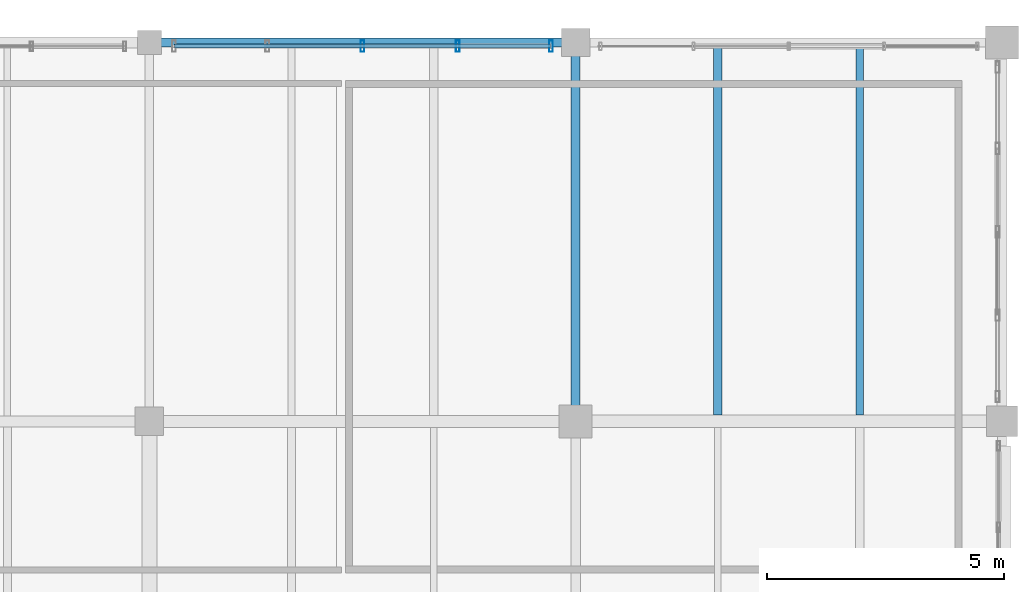
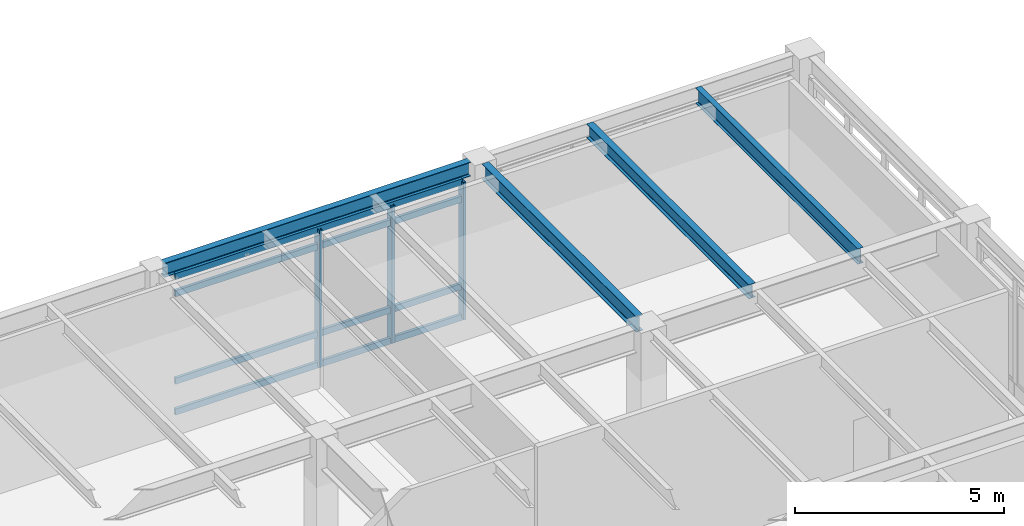
# One storey, part 96 of 200: 7 members, 4 beams, 1 element without a shape of its own.
"""IFC4 building model written with IfcOpenShell, lengths in metres."""

import ifcopenshell
import ifcopenshell.guid

model = None  # the IFC model being written
_history = None  # IfcOwnerHistory: only IFC2X3 demands one
_inside = {}  # id of a spatial element -> (the spatial element, [elements in it])
_under = {}  # id of a project, library or spatial element -> (it, [spatial elements below it])
_declared = {}  # id of a project -> (the project, [libraries it declares])
_typed = {}  # id of a type object -> (the type object, [elements of that type])
_made_of = {}  # id of a material, layer set ... -> (it, [elements and type objects made of it])


def new_model(schema):
    """Start an empty IFC model of exactly this schema.

    Asked for "IFC4X3", IfcOpenShell would pick the latest addendum, in which some entities
    have other attributes; the version numbers below select the first issue.
    IFC2X3 requires an IfcOwnerHistory on every rooted entity: one is made here for all.
    """
    global model, _history
    if schema == "IFC4X3":
        model = ifcopenshell.file(schema_version=(4, 3, 0, 0))
    else:
        model = ifcopenshell.file(schema=schema)
    _inside.clear()
    _under.clear()
    _declared.clear()
    _typed.clear()
    _made_of.clear()
    _history = None
    if model.schema == "IFC2X3":
        org = make("IfcOrganization", Name="unknown")
        user = make(
            "IfcPersonAndOrganization",
            ThePerson=make("IfcPerson", FamilyName="unknown"),
            TheOrganization=org,
        )
        app = make(
            "IfcApplication",
            ApplicationDeveloper=org,
            Version="unknown",
            ApplicationFullName="unknown",
            ApplicationIdentifier="unknown",
        )
        _history = make(
            "IfcOwnerHistory",
            OwningUser=user,
            OwningApplication=app,
            ChangeAction="ADDED",
            CreationDate=0,
        )
    return model


def make(cls, **values):
    """One entity of the class cls with the attributes given. An attribute that is None is left unset."""
    return model.create_entity(
        cls, **{name: value for name, value in values.items() if value is not None}
    )


def rooted(cls, **values):
    """An entity with a GlobalId (a new one), such as an element, a storey or a relation."""
    return make(cls, GlobalId=ifcopenshell.guid.new(), OwnerHistory=_history, **values)


def si_unit(unit_type, name, prefix=None):
    """IfcSIUnit, for example si_unit("LENGTHUNIT", "METRE", prefix="MILLI")."""
    return make("IfcSIUnit", UnitType=unit_type, Prefix=prefix, Name=name)


def assignment(units):
    """IfcUnitAssignment: the units of a project."""
    return None if units is None else make("IfcUnitAssignment", Units=units)


def point(xyz):
    """IfcCartesianPoint."""
    return None if xyz is None else make("IfcCartesianPoint", Coordinates=xyz)


def direction(xyz):
    """IfcDirection."""
    return None if xyz is None else make("IfcDirection", DirectionRatios=xyz)


def frame(location, z_axis=None, x_axis=None):
    """IfcAxis2Placement3D, a coordinate frame: its origin and axes. An axis left out is left unset."""
    return make(
        "IfcAxis2Placement3D",
        Location=point(location),
        Axis=direction(z_axis),
        RefDirection=direction(x_axis),
    )


def frame_2d(location, x_axis=None):
    """IfcAxis2Placement2D, a coordinate frame in the plane: its origin and x axis."""
    return make(
        "IfcAxis2Placement2D", Location=point(location), RefDirection=direction(x_axis)
    )


def origin():
    """The frame at (0, 0, 0) with its axes left unset."""
    return frame((0.0, 0.0, 0.0))


def origin_2d():
    """The frame at (0, 0) in the plane with its x axis left unset."""
    return frame_2d((0.0, 0.0))


def place(relative_to, where):
    """IfcLocalPlacement: puts the frame where relative to a parent placement (None: the world)."""
    return make(
        "IfcLocalPlacement", PlacementRelTo=relative_to, RelativePlacement=where
    )


def context(
    kind, dimensions, precision=None, world=None, true_north=None, identifier=None
):
    """IfcGeometricRepresentationContext, for example the 3D "Model" context."""
    return make(
        "IfcGeometricRepresentationContext",
        ContextIdentifier=identifier,
        ContextType=kind,
        CoordinateSpaceDimension=dimensions,
        Precision=precision,
        WorldCoordinateSystem=world,
        TrueNorth=true_north,
    )


def subcontext(parent, identifier, kind, view, scale=None):
    """IfcGeometricRepresentationSubContext, for example "Body" below "Model"."""
    return make(
        "IfcGeometricRepresentationSubContext",
        ContextIdentifier=identifier,
        ContextType=kind,
        ParentContext=parent,
        TargetScale=scale,
        TargetView=view,
    )


def project(units=None, contexts=None):
    """IfcProject with its units and contexts."""
    return rooted(
        "IfcProject",
        Name="project",
        RepresentationContexts=contexts,
        UnitsInContext=assignment(units),
    )


def spatial(cls, under=None, at=None, **own):
    """A site, building, storey or space (cls), placed at a placement, below another one or the project."""
    s = rooted(cls, ObjectPlacement=at, **own)
    if under is not None:
        _under.setdefault(under.id(), (under, []))[1].append(s)
    return s


def profile(cls, at=None, kind="AREA", **sizes):
    """A parametric profile (cls). Its sizes go by their IFC names, for example OverallWidth=200.0."""
    return make(cls, ProfileType=kind, Position=at, **sizes)


def hollow_rectangle(**sizes):
    """IfcRectangleHollowProfileDef."""
    return profile("IfcRectangleHollowProfileDef", **sizes)


def i_section(**sizes):
    """IfcIShapeProfileDef."""
    return profile("IfcIShapeProfileDef", **sizes)


def extrude(swept, where, along, depth):
    """IfcExtrudedAreaSolid: the profile swept, set in the frame where, extruded along a direction by depth."""
    return make(
        "IfcExtrudedAreaSolid",
        SweptArea=swept,
        Position=where,
        ExtrudedDirection=direction(along),
        Depth=depth,
    )


def shape(context_of_items, identifier, shape_type, items):
    """IfcShapeRepresentation: the items that make up one representation, for example the "Body"."""
    return make(
        "IfcShapeRepresentation",
        ContextOfItems=context_of_items,
        RepresentationIdentifier=identifier,
        RepresentationType=shape_type,
        Items=items,
    )


def material(Name=None, Category=None):
    """IfcMaterial."""
    return make("IfcMaterial", Name=Name, Category=Category)


def material_profile(
    of_material, cross_section, Name=None, Category=None, Priority=None
):
    """IfcMaterialProfile: a cross section and its material."""
    return make(
        "IfcMaterialProfile",
        Name=Name,
        Material=of_material,
        Profile=cross_section,
        Priority=Priority,
        Category=Category,
    )


def profile_set(profiles, Name=None, composite=None):
    """IfcMaterialProfileSet."""
    return make(
        "IfcMaterialProfileSet",
        Name=Name,
        MaterialProfiles=profiles,
        CompositeProfile=composite,
    )


def made_of(thing, what):
    """Note that an element or type object is made of a material, layer set ...; save() writes the relation."""
    if what is not None:
        _made_of.setdefault(what.id(), (what, []))[1].append(thing)
    return thing


def type_object(cls, material=None, **own):
    """A type object (cls), such as IfcWallType, which elements share."""
    return made_of(rooted(cls, **own), material)


def element(
    cls,
    number,
    at=None,
    inside=None,
    cuts=None,
    type_object=None,
    material=None,
    context=None,
    identifier="Body",
    shape_type=None,
    held_by="IfcProductDefinitionShape",
    body=None,
    shapes=None,
    **own,
):
    """One element of the class cls, such as IfcWall. Its Tag is "e" and its number.

    at: its placement. inside: the storey or other place that contains it. cuts: it is an
    opening in that element (IfcRelVoidsElement). A single representation is given by context,
    identifier, shape_type and body (its items); several are given by shapes. held_by: the class
    of the entity that holds the representations. save() writes the other relations.
    """
    e = rooted(cls, Tag="e%d" % number, ObjectPlacement=at, **own)
    if body is not None:
        shapes = [shape(context, identifier, shape_type, body)]
    if shapes is not None:
        e.Representation = make(held_by, Representations=shapes)
    if inside is not None:
        _inside.setdefault(inside.id(), (inside, []))[1].append(e)
    if cuts is not None:
        rooted(
            "IfcRelVoidsElement", RelatingBuildingElement=cuts, RelatedOpeningElement=e
        )
    if type_object is not None:
        _typed.setdefault(type_object.id(), (type_object, []))[1].append(e)
    return made_of(e, material)


def aggregate(whole, parts):
    """IfcRelAggregates: a whole, such as a stair, and the parts it consists of."""
    return rooted("IfcRelAggregates", RelatingObject=whole, RelatedObjects=parts)


def save(model, path):
    """Write the relations noted so far, then the file.

    IfcRelAggregates (storeys below a building ...), IfcRelContainedInSpatialStructure (elements
    in a storey), IfcRelDefinesByType, IfcRelAssociatesMaterial and IfcRelDeclares: one each for
    every whole, place, type object, material and project.
    """
    for whole, parts in _under.values():
        aggregate(whole, parts)
    for where, things in _inside.values():
        rooted(
            "IfcRelContainedInSpatialStructure",
            RelatedElements=things,
            RelatingStructure=where,
        )
    for kind, things in _typed.values():
        rooted("IfcRelDefinesByType", RelatedObjects=things, RelatingType=kind)
    for what, things in _made_of.values():
        rooted("IfcRelAssociatesMaterial", RelatedObjects=things, RelatingMaterial=what)
    for by, libraries in _declared.values():
        rooted("IfcRelDeclares", RelatingContext=by, RelatedDefinitions=libraries)
    model.write(path)


model = new_model("IFC4")

# Units and contexts
model_context = context("Model", 3, precision=1e-05, world=origin(), true_north=direction((0.0, 1.0)))
body_context = subcontext(model_context, "Body", "Model", "MODEL_VIEW")
ifc_project = project(units=[si_unit("LENGTHUNIT", "METRE"), si_unit("AREAUNIT", "SQUARE_METRE"), si_unit("VOLUMEUNIT", "CUBIC_METRE"), si_unit("PLANEANGLEUNIT", "RADIAN"), si_unit("MASSUNIT", "GRAM", prefix="KILO"), si_unit("THERMODYNAMICTEMPERATUREUNIT", "KELVIN"), si_unit("POWERUNIT", "WATT")], contexts=[model_context])

# Site, building, storey
site_placement = place(None, origin())
site = spatial("IfcSite", under=ifc_project, at=site_placement, CompositionType="ELEMENT")
building_placement = place(site_placement, origin())
building = spatial("IfcBuilding", under=site, at=building_placement, Name="Tepalcoro Natatorium and Aquatics Centre", CompositionType="ELEMENT")
storey_placement = place(building_placement, frame((0.0, 0.0, 5.39990234375)))
storey = spatial("IfcBuildingStorey", under=building, at=storey_placement, Name="L01", CompositionType="ELEMENT", Elevation=5.39990234375)

# Beam
ifc_material_1 = material(Name="Steel ASTM A992 Grade 50 (Fy 345 MPa)", Category="steel")
ifc_material_profile_1 = material_profile(ifc_material_1, i_section(OverallWidth=0.19091796875, OverallDepth=0.45703125, WebThickness=0.009033203125, FlangeThickness=0.013916015625, FilletRadius=0.013916015625, at=origin_2d()), Name="W18X50")
ifc_profile_set_1 = profile_set([ifc_material_profile_1], Name="Steel ASTM A992 Grade 50 (Fy 345 MPa)")
beam_type_1 = type_object("IfcBeamType", Name="BM_W18x50", PredefinedType="BEAM", material=ifc_profile_set_1)
beam_1_placement = place(storey_placement, frame((80.0, 110.3349609375, 4.256591796875), z_axis=(0.0, 1.0, 0.0), x_axis=(-1.0, 0.0, 0.0)))
element("IfcBeam", 1, at=beam_1_placement, inside=storey, type_object=beam_type_1, Name="V4 L01 Grid Girder Y", PredefinedType="BEAM", context=body_context, shape_type="SweptSolid", body=[
    extrude(i_section(OverallWidth=0.19091796875, OverallDepth=0.45703125, WebThickness=0.009033203125, FlangeThickness=0.013916015625, FilletRadius=0.013916015625, at=origin_2d()), origin(), (0.0, 0.0, 1.0), 7.380126953125),
])

# Curtain wall, members
ifc_material_2 = material(Name="Bronze-Anodised Extruded Aluminium Alloy EN AW-6063 T6", Category="aluminium")
curtain_wall_type = type_object("IfcCurtainWallType", Name="CW_V4_VILLAGE", PredefinedType="USERDEFINED", material=ifc_material_2)
curtain_wall_placement = place(storey_placement, origin())
curtain_wall = element("IfcCurtainWall", 2, at=curtain_wall_placement, inside=storey, type_object=curtain_wall_type, Name="V4 L01 N Unitised Curtain Wall Bay 8", ObjectType="UNITISED STOREFRONT", PredefinedType="USERDEFINED")
ifc_material_profile_2 = material_profile(ifc_material_2, hollow_rectangle(XDim=0.080078125, YDim=0.239990234375, WallThickness=0.0048828125, at=origin_2d()), Name="AL80X240X5")
ifc_profile_set_2 = profile_set([ifc_material_profile_2], Name="Bronze-Anodised Extruded Aluminium Alloy EN AW-6063 T6")
member_type_1 = type_object("IfcMemberType", Name="CW_MUL_80x240", PredefinedType="MULLION", material=ifc_profile_set_2)
member_1_placement = place(storey_placement, frame((75.5, 117.923828125, 0.02001953125), z_axis=(0.0, 0.0, 1.0), x_axis=(1.0, 0.0, 0.0)))
member_1 = element("IfcMember", 3, at=member_1_placement, type_object=member_type_1, Name="CW_V4_VILLAGE Curtain Wall Mullion", PredefinedType="MULLION", context=body_context, shape_type="SweptSolid", body=[
    extrude(hollow_rectangle(XDim=0.080078125, YDim=0.239990234375, WallThickness=0.0048828125, at=origin_2d()), origin(), (0.0, 0.0, 1.0), 4.01708984375),
])
member_2_placement = place(storey_placement, frame((77.510009765625, 117.923828125, 0.02001953125), z_axis=(0.0, 0.0, 1.0), x_axis=(1.0, 0.0, 0.0)))
member_2 = element("IfcMember", 4, at=member_2_placement, type_object=member_type_1, Name="CW_V4_VILLAGE Curtain Wall Mullion", PredefinedType="MULLION", context=body_context, shape_type="SweptSolid", body=[
    extrude(hollow_rectangle(XDim=0.080078125, YDim=0.239990234375, WallThickness=0.0048828125, at=origin_2d()), origin(), (0.0, 0.0, 1.0), 4.01708984375),
])
member_3_placement = place(storey_placement, frame((79.47998046875, 117.923828125, 0.02001953125), z_axis=(0.0, 0.0, 1.0), x_axis=(1.0, 0.0, 0.0)))
member_3 = element("IfcMember", 5, at=member_3_placement, type_object=member_type_1, Name="CW_V4_VILLAGE Curtain Wall Mullion", PredefinedType="MULLION", context=body_context, shape_type="SweptSolid", body=[
    extrude(hollow_rectangle(XDim=0.080078125, YDim=0.239990234375, WallThickness=0.0048828125, at=origin_2d()), origin(), (0.0, 0.0, 1.0), 4.01708984375),
])
ifc_material_profile_3 = material_profile(ifc_material_2, hollow_rectangle(XDim=0.080078125, YDim=0.179931640625, WallThickness=0.0048828125, at=origin_2d()), Name="AL80X180X5")
ifc_profile_set_3 = profile_set([ifc_material_profile_3], Name="Bronze-Anodised Extruded Aluminium Alloy EN AW-6063 T6")
member_type_2 = type_object("IfcMemberType", Name="CW_TRN_80x180", PredefinedType="USERDEFINED", material=ifc_profile_set_3)
member_4_placement = place(storey_placement, frame((71.530029296875, 117.923828125, 0.050048828125), z_axis=(1.0, 0.0, 0.0), x_axis=(0.0, 1.0, 0.0)))
member_4 = element("IfcMember", 6, at=member_4_placement, type_object=member_type_2, Name="CW_V4_VILLAGE Curtain Wall Transom", ObjectType="TRANSOM", PredefinedType="USERDEFINED", context=body_context, shape_type="SweptSolid", body=[
    extrude(hollow_rectangle(XDim=0.080078125, YDim=0.179931640625, WallThickness=0.0048828125, at=origin_2d()), origin(), (0.0, 0.0, 1.0), 7.93994140625),
])
member_5_placement = place(storey_placement, frame((71.530029296875, 117.923828125, 0.9501953125), z_axis=(1.0, 0.0, 0.0), x_axis=(0.0, 1.0, 0.0)))
member_5 = element("IfcMember", 7, at=member_5_placement, type_object=member_type_2, Name="CW_V4_VILLAGE Curtain Wall Transom", ObjectType="TRANSOM", PredefinedType="USERDEFINED", context=body_context, shape_type="SweptSolid", body=[
    extrude(hollow_rectangle(XDim=0.080078125, YDim=0.179931640625, WallThickness=0.0048828125, at=origin_2d()), origin(), (0.0, 0.0, 1.0), 7.93994140625),
])
member_6_placement = place(storey_placement, frame((71.530029296875, 117.923828125, 3.507080078125), z_axis=(1.0, 0.0, 0.0), x_axis=(0.0, 1.0, 0.0)))
member_6 = element("IfcMember", 8, at=member_6_placement, type_object=member_type_2, Name="CW_V4_VILLAGE Curtain Wall Transom", ObjectType="TRANSOM", PredefinedType="USERDEFINED", context=body_context, shape_type="SweptSolid", body=[
    extrude(hollow_rectangle(XDim=0.080078125, YDim=0.179931640625, WallThickness=0.0048828125, at=origin_2d()), origin(), (0.0, 0.0, 1.0), 7.93994140625),
])
member_7_placement = place(storey_placement, frame((71.530029296875, 117.923828125, 4.007080078125), z_axis=(1.0, 0.0, 0.0), x_axis=(0.0, 1.0, 0.0)))
member_7 = element("IfcMember", 9, at=member_7_placement, type_object=member_type_2, Name="CW_V4_VILLAGE Curtain Wall Transom", ObjectType="TRANSOM", PredefinedType="USERDEFINED", context=body_context, shape_type="SweptSolid", body=[
    extrude(hollow_rectangle(XDim=0.080078125, YDim=0.179931640625, WallThickness=0.0048828125, at=origin_2d()), origin(), (0.0, 0.0, 1.0), 7.93994140625),
])
aggregate(curtain_wall, [member_1, member_2, member_3, member_4, member_5, member_6, member_7])

# Beams
ifc_material_profile_4 = material_profile(ifc_material_1, i_section(OverallWidth=0.178955078125, OverallDepth=0.409912109375, WebThickness=0.009033203125, FlangeThickness=0.013916015625, FilletRadius=0.013916015625, at=origin_2d()), Name="W16X45")
ifc_profile_set_4 = profile_set([ifc_material_profile_4], Name="Steel ASTM A992 Grade 50 (Fy 345 MPa)")
beam_type_2 = type_object("IfcBeamType", Name="JS_W16x45", PredefinedType="JOIST", material=ifc_profile_set_4)
beam_2_placement = place(storey_placement, frame((83.0, 110.133544921875, 4.280029296875), z_axis=(0.0, 1.0, 0.0), x_axis=(-1.0, 0.0, 0.0)))
element("IfcBeam", 10, at=beam_2_placement, inside=storey, type_object=beam_type_2, Name="V4 L01 Floor Joist", PredefinedType="JOIST", context=body_context, shape_type="SweptSolid", body=[
    extrude(i_section(OverallWidth=0.178955078125, OverallDepth=0.409912109375, WebThickness=0.009033203125, FlangeThickness=0.013916015625, FilletRadius=0.013916015625, at=origin_2d()), origin(), (0.0, 0.0, 1.0), 7.77099609375),
])
ifc_material_profile_5 = material_profile(ifc_material_1, i_section(OverallWidth=0.153076171875, OverallDepth=0.455078125, WebThickness=0.008056640625, FlangeThickness=0.012939453125, FilletRadius=0.013916015625, at=origin_2d()), Name="W18X40")
ifc_profile_set_5 = profile_set([ifc_material_profile_5], Name="Steel ASTM A992 Grade 50 (Fy 345 MPa)")
beam_type_3 = type_object("IfcBeamType", Name="JS_W18x40", PredefinedType="JOIST", material=ifc_profile_set_5)
beam_3_placement = place(storey_placement, frame((86.0, 110.133544921875, 4.257568359375), z_axis=(0.0, 1.0, 0.0), x_axis=(-1.0, 0.0, 0.0)))
element("IfcBeam", 11, at=beam_3_placement, inside=storey, type_object=beam_type_3, Name="V4 L01 Floor Joist", PredefinedType="JOIST", context=body_context, shape_type="SweptSolid", body=[
    extrude(i_section(OverallWidth=0.153076171875, OverallDepth=0.455078125, WebThickness=0.008056640625, FlangeThickness=0.012939453125, FilletRadius=0.013916015625, at=origin_2d()), origin(), (0.0, 0.0, 1.0), 7.77099609375),
])
ifc_material_profile_6 = material_profile(ifc_material_1, i_section(OverallWidth=0.179931640625, OverallDepth=0.4130859375, WebThickness=0.010009765625, FlangeThickness=0.01611328125, FilletRadius=0.013916015625, at=origin_2d()), Name="W16X50")
ifc_profile_set_6 = profile_set([ifc_material_profile_6], Name="Steel ASTM A992 Grade 50 (Fy 345 MPa)")
beam_type_4 = type_object("IfcBeamType", Name="SP_HSS300x200x12", PredefinedType="SPANDREL", material=ifc_profile_set_6)
beam_4_placement = place(storey_placement, frame((71.235107421875, 118.0, 4.278564453125), z_axis=(1.0, 0.0, 0.0), x_axis=(0.0, 1.0, 0.0)))
element("IfcBeam", 12, at=beam_4_placement, inside=storey, type_object=beam_type_4, Name="V4 L01 Grid Girder X", PredefinedType="SPANDREL", context=body_context, shape_type="SweptSolid", body=[
    extrude(i_section(OverallWidth=0.179931640625, OverallDepth=0.4130859375, WebThickness=0.010009765625, FlangeThickness=0.01611328125, FilletRadius=0.013916015625, at=origin_2d()), origin(), (0.0, 0.0, 1.0), 8.47998046875),
])

save(model, "model.ifc")
